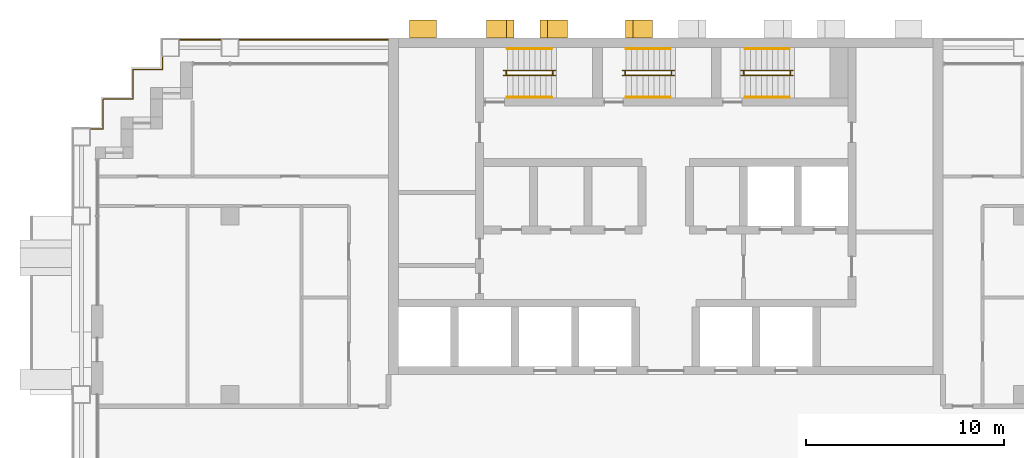
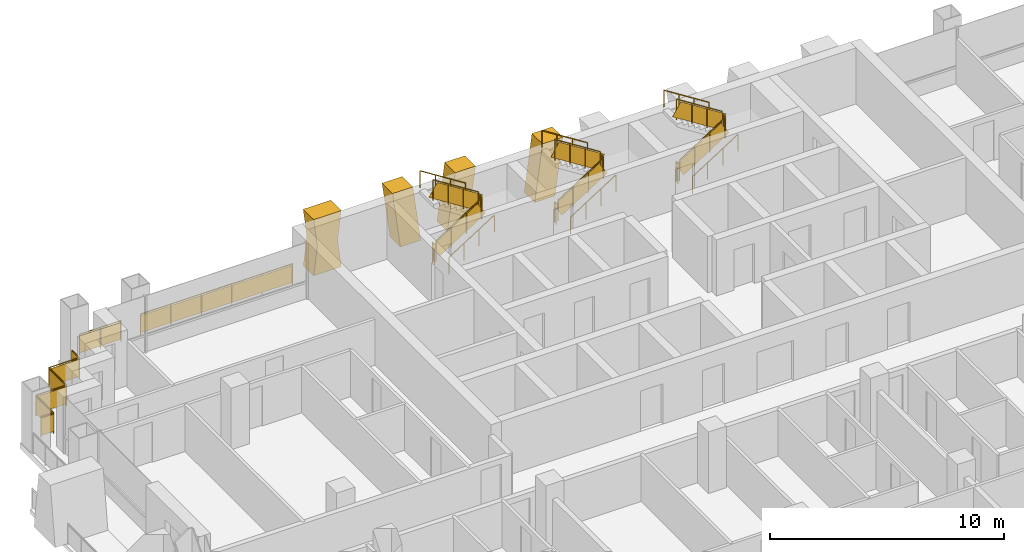
# One storey, part 16 of 17: 21 railings, 4 shading devices.
"""IFC4 building model written with IfcOpenShell, lengths in metres."""

from ifc_helpers import new_model, si_unit, direction, frame, origin, origin_2d, place, context, subcontext, project, spatial, polyline, rectangle, circle, outline, extrude, material, layer, layer_set, type_object, element, save


model = new_model("IFC4")

# Units and contexts
model_context = context("Model", 3, precision=1e-05, world=origin(), true_north=direction((0.0, 1.0)))
body_context = subcontext(model_context, "Body", "Model", "MODEL_VIEW")
ifc_project = project(units=[si_unit("LENGTHUNIT", "METRE"), si_unit("AREAUNIT", "SQUARE_METRE"), si_unit("VOLUMEUNIT", "CUBIC_METRE"), si_unit("PLANEANGLEUNIT", "RADIAN"), si_unit("MASSUNIT", "GRAM", prefix="KILO")], contexts=[model_context])

# Site, building, storey
site_placement = place(None, origin())
site = spatial("IfcSite", under=ifc_project, at=site_placement, CompositionType="ELEMENT")
building_placement = place(site_placement, origin())
building = spatial("IfcBuilding", under=site, at=building_placement, Name="Vidyagriha Tower", CompositionType="ELEMENT")
storey_placement = place(building_placement, frame((0.0, 0.0, 87.10009765625)))
storey = spatial("IfcBuildingStorey", under=building, at=storey_placement, Name="L22", CompositionType="ELEMENT", Elevation=87.10009765625)

# Shading devices
ifc_material_1 = material(Name="Precast concrete C40/50 with brick facing", Category="concrete")
ifc_layer_1 = layer(ifc_material_1, 1.0)
ifc_layer_set_1 = layer_set([ifc_layer_1], Name="Precast concrete C40/50 with brick facing")
shading_device_type_1 = type_object("IfcShadingDeviceType", Name="Brick-faced rear rib arm leaning 8 degrees", PredefinedType="USERDEFINED", material=ifc_layer_set_1)
shading_device_1_placement = place(storey_placement, frame((-0.656982421875, 20.449951171875, 0.0), z_axis=(0.0, 0.0, 1.0), x_axis=(-1.0, 0.0, 0.0)))
element("IfcShadingDevice", 1, at=shading_device_1_placement, inside=storey, type_object=shading_device_type_1, Name="Rear rib arm L22 R08.3b", ObjectType="BLADE FIN", PredefinedType="USERDEFINED", context=body_context, shape_type="SweptSolid", body=[
    extrude(outline(polyline([(0.3857421875, 0.0), (1.3857421875, 0.0), (1.0, 2.919921875), (0.0, 2.919921875), (0.3857421875, 0.0)])), frame((0.0, 0.449951171875, 0.0), z_axis=(0.0, -1.0, 0.0), x_axis=(1.0, 0.0, 0.0)), (0.0, 0.0, 1.0), 0.89990234375),
])
shading_device_2_placement = place(storey_placement, frame((-7.656982421875, 20.449951171875, 0.0), z_axis=(0.0, 0.0, 1.0), x_axis=(-1.0, 0.0, 0.0)))
element("IfcShadingDevice", 2, at=shading_device_2_placement, inside=storey, type_object=shading_device_type_1, Name="Rear rib arm L22 R08.4a", ObjectType="BLADE FIN", PredefinedType="USERDEFINED", context=body_context, shape_type="SweptSolid", body=[
    extrude(outline(polyline([(0.0, 0.0), (1.0, 0.0), (1.3857421875, 2.919921875), (0.3857421875, 2.919921875), (0.0, 0.0)])), frame((0.0, 0.449951171875, 0.0), z_axis=(0.0, -1.0, 0.0), x_axis=(1.0, 0.0, 0.0)), (0.0, 0.0, 1.0), 0.89990234375),
])
shading_device_3_placement = place(storey_placement, frame((-4.95703125, 20.449951171875, 0.0), z_axis=(0.0, 0.0, 1.0), x_axis=(-1.0, 0.0, 0.0)))
element("IfcShadingDevice", 3, at=shading_device_3_placement, inside=storey, type_object=shading_device_type_1, Name="Rear rib arm L22 R08.4b", ObjectType="BLADE FIN", PredefinedType="USERDEFINED", context=body_context, shape_type="SweptSolid", body=[
    extrude(outline(polyline([(0.3857421875, 0.0), (1.3857421875, 0.0), (1.0, 2.919921875), (0.0, 2.919921875), (0.3857421875, 0.0)])), frame((0.0, 0.449951171875, 0.0), z_axis=(0.0, -1.0, 0.0), x_axis=(1.0, 0.0, 0.0)), (0.0, 0.0, 1.0), 0.89990234375),
])
ifc_material_2 = material(Name="Precast concrete C40/50 with brick facing", Category="concrete")
ifc_layer_2 = layer(ifc_material_2, 1.0)
ifc_layer_set_2 = layer_set([ifc_layer_2], Name="Precast concrete C40/50 with brick facing")
shading_device_type_2 = type_object("IfcShadingDeviceType", Name="Brick-faced rear rib forking 8 degrees", PredefinedType="USERDEFINED", material=ifc_layer_set_2)
shading_device_4_placement = place(storey_placement, frame((-11.5712890625, 20.449951171875, 0.0), z_axis=(0.0, 0.0, 1.0), x_axis=(-1.0, 0.0, 0.0)))
element("IfcShadingDevice", 4, at=shading_device_4_placement, inside=storey, type_object=shading_device_type_2, Name="Rear rib fork L22 R08.5a", ObjectType="BLADE FIN", PredefinedType="USERDEFINED", context=body_context, shape_type="SweptSolid", body=[
    extrude(outline(polyline([(0.0, 0.0), (1.357177734375, 0.0), (1.1787109375, 1.4599609375), (1.357177734375, 2.919921875), (0.0, 2.919921875), (0.1787109375, 1.4599609375), (0.0, 0.0)])), frame((0.0, 0.449951171875, 0.0), z_axis=(0.0, -1.0, 0.0), x_axis=(1.0, 0.0, 0.0)), (0.0, 0.0, 1.0), 0.89990234375),
])

# Railings
ifc_material_3 = material(Name="Steel ASTM A500 Grade C black painted", Category="steel")
railing_type_1 = type_object("IfcRailingType", Name="Gallery guard 1100", PredefinedType="GUARDRAIL", material=ifc_material_3)
railing_1_placement = place(storey_placement, frame((-29.02001953125, 15.39990234375, 0.0)))
element("IfcRailing", 5, at=railing_1_placement, inside=storey, type_object=railing_type_1, Name="Gallery guard L22 5", PredefinedType="GUARDRAIL", context=body_context, shape_type="SweptSolid", body=[
    extrude(circle(Radius=0.02490234375, at=origin_2d()), frame((0.0, 0.0, 1.0751953125), z_axis=(1.0, 0.0, 0.0), x_axis=(0.0, 1.0, 0.0)), (0.0, 0.0, 1.0), 0.6201171875),
    extrude(circle(Radius=0.02490234375, at=origin_2d()), frame((0.6201171875, 0.0, 1.0751953125), z_axis=(0.0, 1.0, 0.0), x_axis=(-1.0, 0.0, 0.0)), (0.0, 0.0, 1.0), 1.5),
    extrude(circle(Radius=0.02490234375, at=origin_2d()), frame((0.6201171875, 1.5, 1.0751953125), z_axis=(1.0, 0.0, 0.0), x_axis=(0.0, 1.0, 0.0)), (0.0, 0.0, 1.0), 1.5),
    extrude(circle(Radius=0.02490234375, at=origin_2d()), frame((2.1201171875, 1.5, 1.0751953125), z_axis=(0.0, 1.0, 0.0), x_axis=(-1.0, 0.0, 0.0)), (0.0, 0.0, 1.0), 1.5),
    extrude(circle(Radius=0.02490234375, at=origin_2d()), frame((2.1201171875, 3.0, 1.0751953125), z_axis=(1.0, 0.0, 0.0), x_axis=(0.0, 1.0, 0.0)), (0.0, 0.0, 1.0), 1.5),
    extrude(circle(Radius=0.02490234375, at=origin_2d()), frame((3.6201171875, 3.0, 1.0751953125), z_axis=(0.0, 1.0, 0.0), x_axis=(-1.0, 0.0, 0.0)), (0.0, 0.0, 1.0), 0.6201171875),
    extrude(circle(Radius=0.02001953125, at=origin_2d()), origin(), (0.0, 0.0, 1.0), 1.050048828125),
    extrude(circle(Radius=0.02001953125, at=origin_2d()), frame((0.6201171875, 0.0, 0.0)), (0.0, 0.0, 1.0), 1.050048828125),
    extrude(circle(Radius=0.02001953125, at=origin_2d()), frame((0.6201171875, 1.5, 0.0)), (0.0, 0.0, 1.0), 1.050048828125),
    extrude(circle(Radius=0.02001953125, at=origin_2d()), frame((2.1201171875, 1.5, 0.0)), (0.0, 0.0, 1.0), 1.050048828125),
    extrude(circle(Radius=0.02001953125, at=origin_2d()), frame((2.1201171875, 3.0, 0.0)), (0.0, 0.0, 1.0), 1.050048828125),
    extrude(circle(Radius=0.02001953125, at=origin_2d()), frame((3.6201171875, 3.0, 0.0)), (0.0, 0.0, 1.0), 1.050048828125),
    extrude(circle(Radius=0.02001953125, at=origin_2d()), frame((3.6201171875, 3.6201171875, 0.0)), (0.0, 0.0, 1.0), 1.050048828125),
    extrude(rectangle(XDim=0.010009765625, YDim=0.900146484375, at=origin_2d()), frame((0.0, 0.0, 0.550048828125), z_axis=(1.0, 0.0, 0.0), x_axis=(0.0, 1.0, 0.0)), (0.0, 0.0, 1.0), 0.6201171875),
    extrude(rectangle(XDim=0.010009765625, YDim=0.900146484375, at=origin_2d()), frame((0.6201171875, 0.0, 0.550048828125), z_axis=(0.0, 1.0, 0.0), x_axis=(-1.0, 0.0, 0.0)), (0.0, 0.0, 1.0), 1.5),
    extrude(rectangle(XDim=0.010009765625, YDim=0.900146484375, at=origin_2d()), frame((0.6201171875, 1.5, 0.550048828125), z_axis=(1.0, 0.0, 0.0), x_axis=(0.0, 1.0, 0.0)), (0.0, 0.0, 1.0), 1.5),
    extrude(rectangle(XDim=0.010009765625, YDim=0.900146484375, at=origin_2d()), frame((2.1201171875, 1.5, 0.550048828125), z_axis=(0.0, 1.0, 0.0), x_axis=(-1.0, 0.0, 0.0)), (0.0, 0.0, 1.0), 1.5),
    extrude(rectangle(XDim=0.010009765625, YDim=0.900146484375, at=origin_2d()), frame((2.1201171875, 3.0, 0.550048828125), z_axis=(1.0, 0.0, 0.0), x_axis=(0.0, 1.0, 0.0)), (0.0, 0.0, 1.0), 1.5),
    extrude(rectangle(XDim=0.010009765625, YDim=0.900146484375, at=origin_2d()), frame((3.6201171875, 3.0, 0.550048828125), z_axis=(0.0, 1.0, 0.0), x_axis=(-1.0, 0.0, 0.0)), (0.0, 0.0, 1.0), 0.6201171875),
])
railing_2_placement = place(storey_placement, frame((-24.52001953125, 19.89990234375, 0.0)))
element("IfcRailing", 6, at=railing_2_placement, inside=storey, type_object=railing_type_1, Name="Gallery guard L22 7", PredefinedType="GUARDRAIL", context=body_context, shape_type="SweptSolid", body=[
    extrude(circle(Radius=0.02490234375, at=origin_2d()), frame((0.0, 0.0, 1.0751953125), z_axis=(1.0, 0.0, 0.0), x_axis=(0.0, 1.0, 0.0)), (0.0, 0.0, 1.0), 2.0400390625),
    extrude(circle(Radius=0.02001953125, at=origin_2d()), origin(), (0.0, 0.0, 1.0), 1.050048828125),
    extrude(circle(Radius=0.02001953125, at=origin_2d()), frame((1.02001953125, 0.0, 0.0)), (0.0, 0.0, 1.0), 1.050048828125),
    extrude(circle(Radius=0.02001953125, at=origin_2d()), frame((2.0400390625, 0.0, 0.0)), (0.0, 0.0, 1.0), 1.050048828125),
    extrude(rectangle(XDim=0.010009765625, YDim=0.900146484375, at=origin_2d()), frame((0.0, 0.0, 0.550048828125), z_axis=(1.0, 0.0, 0.0), x_axis=(0.0, 1.0, 0.0)), (0.0, 0.0, 1.0), 2.0400390625),
])
railing_3_placement = place(storey_placement, frame((-21.52001953125, 19.89990234375, 0.0)))
element("IfcRailing", 7, at=railing_3_placement, inside=storey, type_object=railing_type_1, Name="Gallery guard L22 8", PredefinedType="GUARDRAIL", context=body_context, shape_type="SweptSolid", body=[
    extrude(circle(Radius=0.02490234375, at=origin_2d()), frame((0.0, 0.0, 1.0751953125), z_axis=(1.0, 0.0, 0.0), x_axis=(0.0, 1.0, 0.0)), (0.0, 0.0, 1.0), 7.489990234375),
    extrude(circle(Radius=0.02001953125, at=origin_2d()), origin(), (0.0, 0.0, 1.0), 1.050048828125),
    extrude(circle(Radius=0.02001953125, at=origin_2d()), frame((1.498046875, 0.0, 0.0)), (0.0, 0.0, 1.0), 1.050048828125),
    extrude(circle(Radius=0.02001953125, at=origin_2d()), frame((2.99609375, 0.0, 0.0)), (0.0, 0.0, 1.0), 1.050048828125),
    extrude(circle(Radius=0.02001953125, at=origin_2d()), frame((4.493896484375, 0.0, 0.0)), (0.0, 0.0, 1.0), 1.050048828125),
    extrude(circle(Radius=0.02001953125, at=origin_2d()), frame((5.991943359375, 0.0, 0.0)), (0.0, 0.0, 1.0), 1.050048828125),
    extrude(circle(Radius=0.02001953125, at=origin_2d()), frame((7.489990234375, 0.0, 0.0)), (0.0, 0.0, 1.0), 1.050048828125),
    extrude(rectangle(XDim=0.010009765625, YDim=0.900146484375, at=origin_2d()), frame((0.0, 0.0, 0.550048828125), z_axis=(1.0, 0.0, 0.0), x_axis=(0.0, 1.0, 0.0)), (0.0, 0.0, 1.0), 7.489990234375),
])
ifc_material_4 = material(Name="Steel ASTM A500 Grade C", Category="steel")
railing_type_2 = type_object("IfcRailingType", Name="Stair guard 1100 mm, steel balustrade", PredefinedType="GUARDRAIL", material=ifc_material_4)
railing_4_placement = place(storey_placement, frame((-8.0, 18.10009765625, 0.177734375)))
element("IfcRailing", 8, at=railing_4_placement, inside=storey, type_object=railing_type_2, Name="L22 ST1 stair guard 1", PredefinedType="GUARDRAIL", context=body_context, shape_type="SweptSolid", body=[
    extrude(circle(Radius=0.02392578125, at=origin_2d()), frame((0.0, 0.0, 1.076171875), z_axis=(0.8442293374, 0.0, 0.53598211339), x_axis=(0.0, 1.0, 0.0)), (0.0, 0.0, 1.0), 2.6533203125),
    extrude(circle(Radius=0.02099609375, at=origin_2d()), origin(), (0.0, 0.0, 1.0), 1.052001953125),
    extrude(circle(Radius=0.02099609375, at=origin_2d()), frame((0.74658203125, 0.0, 0.47412109375)), (0.0, 0.0, 1.0), 1.052001953125),
    extrude(circle(Radius=0.02099609375, at=origin_2d()), frame((1.493408203125, 0.0, 0.947998046875)), (0.0, 0.0, 1.0), 1.052001953125),
    extrude(circle(Radius=0.02099609375, at=origin_2d()), frame((2.239990234375, 0.0, 1.422119140625)), (0.0, 0.0, 1.0), 1.052001953125),
    extrude(rectangle(XDim=0.010009765625, YDim=0.761474609375, at=origin_2d()), frame((0.0, 0.0, 0.551025390625), z_axis=(0.8442293374, 0.0, 0.53598211339), x_axis=(0.0, 1.0, 0.0)), (0.0, 0.0, 1.0), 2.6533203125),
])
railing_5_placement = place(storey_placement, frame((-5.7099609375, 18.14990234375, 1.599853515625)))
element("IfcRailing", 9, at=railing_5_placement, inside=storey, type_object=railing_type_2, Name="L22 ST1 stair guard 2", PredefinedType="GUARDRAIL", context=body_context, shape_type="SweptSolid", body=[
    extrude(circle(Radius=0.02392578125, at=origin_2d()), frame((0.0, 0.0, 1.076171875), z_axis=(0.0, 1.0, 0.0), x_axis=(-1.0, 0.0, 0.0)), (0.0, 0.0, 1.0), 0.150146484375),
    extrude(circle(Radius=0.02099609375, at=origin_2d()), origin(), (0.0, 0.0, 1.0), 1.052001953125),
    extrude(circle(Radius=0.02099609375, at=origin_2d()), frame((0.0, 0.150146484375, 0.0)), (0.0, 0.0, 1.0), 1.052001953125),
    extrude(rectangle(XDim=0.010009765625, YDim=0.902099609375, at=origin_2d()), frame((0.0, 0.0, 0.551025390625), z_axis=(0.0, 1.0, 0.0), x_axis=(-1.0, 0.0, 0.0)), (0.0, 0.0, 1.0), 0.150146484375),
])
railing_6_placement = place(storey_placement, frame((-5.760009765625, 18.35009765625, 1.777587890625)))
element("IfcRailing", 10, at=railing_6_placement, inside=storey, type_object=railing_type_2, Name="L22 ST1 stair guard 3", PredefinedType="GUARDRAIL", context=body_context, shape_type="SweptSolid", body=[
    extrude(circle(Radius=0.02392578125, at=origin_2d()), frame((0.0, 0.0, 1.076171875), z_axis=(-0.84418770128, 0.0, 0.536047689118), x_axis=(0.0, -1.0, 0.0)), (0.0, 0.0, 1.0), 2.6533203125),
    extrude(circle(Radius=0.02099609375, at=origin_2d()), origin(), (0.0, 0.0, 1.0), 1.052001953125),
    extrude(circle(Radius=0.02099609375, at=origin_2d()), frame((-0.74658203125, 0.0, 0.47412109375)), (0.0, 0.0, 1.0), 1.052001953125),
    extrude(circle(Radius=0.02099609375, at=origin_2d()), frame((-1.493408203125, 0.0, 0.9482421875)), (0.0, 0.0, 1.0), 1.052001953125),
    extrude(circle(Radius=0.02099609375, at=origin_2d()), frame((-2.239990234375, 0.0, 1.42236328125)), (0.0, 0.0, 1.0), 1.052001953125),
    extrude(rectangle(XDim=0.010009765625, YDim=0.761474609375, at=origin_2d()), frame((0.0, 0.0, 0.551025390625), z_axis=(-0.84418770128, 0.0, 0.536047689118), x_axis=(0.0, -1.0, 0.0)), (0.0, 0.0, 1.0), 2.6533203125),
])
railing_7_placement = place(storey_placement, frame((-8.050048828125, 18.14990234375, 0.0)))
element("IfcRailing", 11, at=railing_7_placement, inside=storey, type_object=railing_type_2, Name="L22 ST1 stair guard 4", PredefinedType="GUARDRAIL", context=body_context, shape_type="SweptSolid", body=[
    extrude(circle(Radius=0.02392578125, at=origin_2d()), frame((0.0, 0.0, 1.076171875), z_axis=(0.0, 1.0, 0.0), x_axis=(-1.0, 0.0, 0.0)), (0.0, 0.0, 1.0), 0.150146484375),
    extrude(circle(Radius=0.02099609375, at=origin_2d()), origin(), (0.0, 0.0, 1.0), 1.052001953125),
    extrude(circle(Radius=0.02099609375, at=origin_2d()), frame((0.0, 0.150146484375, 0.0)), (0.0, 0.0, 1.0), 1.052001953125),
    extrude(rectangle(XDim=0.010009765625, YDim=0.902099609375, at=origin_2d()), frame((0.0, 0.0, 0.551025390625), z_axis=(0.0, 1.0, 0.0), x_axis=(-1.0, 0.0, 0.0)), (0.0, 0.0, 1.0), 0.150146484375),
])
railing_8_placement = place(storey_placement, frame((-2.0, 18.10009765625, 0.177734375)))
element("IfcRailing", 12, at=railing_8_placement, inside=storey, type_object=railing_type_2, Name="L22 ST2 stair guard 1", PredefinedType="GUARDRAIL", context=body_context, shape_type="SweptSolid", body=[
    extrude(circle(Radius=0.02392578125, at=origin_2d()), frame((0.0, 0.0, 1.076171875), z_axis=(0.8442293374, 0.0, 0.53598211339), x_axis=(0.0, 1.0, 0.0)), (0.0, 0.0, 1.0), 2.6533203125),
    extrude(circle(Radius=0.02099609375, at=origin_2d()), origin(), (0.0, 0.0, 1.0), 1.052001953125),
    extrude(circle(Radius=0.02099609375, at=origin_2d()), frame((0.74658203125, 0.0, 0.47412109375)), (0.0, 0.0, 1.0), 1.052001953125),
    extrude(circle(Radius=0.02099609375, at=origin_2d()), frame((1.493408203125, 0.0, 0.947998046875)), (0.0, 0.0, 1.0), 1.052001953125),
    extrude(circle(Radius=0.02099609375, at=origin_2d()), frame((2.239990234375, 0.0, 1.422119140625)), (0.0, 0.0, 1.0), 1.052001953125),
    extrude(rectangle(XDim=0.010009765625, YDim=0.761474609375, at=origin_2d()), frame((0.0, 0.0, 0.551025390625), z_axis=(0.8442293374, 0.0, 0.53598211339), x_axis=(0.0, 1.0, 0.0)), (0.0, 0.0, 1.0), 2.6533203125),
])
railing_9_placement = place(storey_placement, frame((0.2900390625, 18.14990234375, 1.599853515625)))
element("IfcRailing", 13, at=railing_9_placement, inside=storey, type_object=railing_type_2, Name="L22 ST2 stair guard 2", PredefinedType="GUARDRAIL", context=body_context, shape_type="SweptSolid", body=[
    extrude(circle(Radius=0.02392578125, at=origin_2d()), frame((0.0, 0.0, 1.076171875), z_axis=(0.0, 1.0, 0.0), x_axis=(-1.0, 0.0, 0.0)), (0.0, 0.0, 1.0), 0.150146484375),
    extrude(circle(Radius=0.02099609375, at=origin_2d()), origin(), (0.0, 0.0, 1.0), 1.052001953125),
    extrude(circle(Radius=0.02099609375, at=origin_2d()), frame((0.0, 0.150146484375, 0.0)), (0.0, 0.0, 1.0), 1.052001953125),
    extrude(rectangle(XDim=0.010009765625, YDim=0.902099609375, at=origin_2d()), frame((0.0, 0.0, 0.551025390625), z_axis=(0.0, 1.0, 0.0), x_axis=(-1.0, 0.0, 0.0)), (0.0, 0.0, 1.0), 0.150146484375),
])
railing_10_placement = place(storey_placement, frame((0.239990234375, 18.35009765625, 1.777587890625)))
element("IfcRailing", 14, at=railing_10_placement, inside=storey, type_object=railing_type_2, Name="L22 ST2 stair guard 3", PredefinedType="GUARDRAIL", context=body_context, shape_type="SweptSolid", body=[
    extrude(circle(Radius=0.02392578125, at=origin_2d()), frame((0.0, 0.0, 1.076171875), z_axis=(-0.84418770128, 0.0, 0.536047689118), x_axis=(0.0, -1.0, 0.0)), (0.0, 0.0, 1.0), 2.6533203125),
    extrude(circle(Radius=0.02099609375, at=origin_2d()), origin(), (0.0, 0.0, 1.0), 1.052001953125),
    extrude(circle(Radius=0.02099609375, at=origin_2d()), frame((-0.74658203125, 0.0, 0.47412109375)), (0.0, 0.0, 1.0), 1.052001953125),
    extrude(circle(Radius=0.02099609375, at=origin_2d()), frame((-1.493408203125, 0.0, 0.9482421875)), (0.0, 0.0, 1.0), 1.052001953125),
    extrude(circle(Radius=0.02099609375, at=origin_2d()), frame((-2.239990234375, 0.0, 1.42236328125)), (0.0, 0.0, 1.0), 1.052001953125),
    extrude(rectangle(XDim=0.010009765625, YDim=0.761474609375, at=origin_2d()), frame((0.0, 0.0, 0.551025390625), z_axis=(-0.84418770128, 0.0, 0.536047689118), x_axis=(0.0, -1.0, 0.0)), (0.0, 0.0, 1.0), 2.6533203125),
])
railing_11_placement = place(storey_placement, frame((-2.050048828125, 18.14990234375, 0.0)))
element("IfcRailing", 15, at=railing_11_placement, inside=storey, type_object=railing_type_2, Name="L22 ST2 stair guard 4", PredefinedType="GUARDRAIL", context=body_context, shape_type="SweptSolid", body=[
    extrude(circle(Radius=0.02392578125, at=origin_2d()), frame((0.0, 0.0, 1.076171875), z_axis=(0.0, 1.0, 0.0), x_axis=(-1.0, 0.0, 0.0)), (0.0, 0.0, 1.0), 0.150146484375),
    extrude(circle(Radius=0.02099609375, at=origin_2d()), origin(), (0.0, 0.0, 1.0), 1.052001953125),
    extrude(circle(Radius=0.02099609375, at=origin_2d()), frame((0.0, 0.150146484375, 0.0)), (0.0, 0.0, 1.0), 1.052001953125),
    extrude(rectangle(XDim=0.010009765625, YDim=0.902099609375, at=origin_2d()), frame((0.0, 0.0, 0.551025390625), z_axis=(0.0, 1.0, 0.0), x_axis=(-1.0, 0.0, 0.0)), (0.0, 0.0, 1.0), 0.150146484375),
])
railing_12_placement = place(storey_placement, frame((4.0, 18.10009765625, 0.177734375)))
element("IfcRailing", 16, at=railing_12_placement, inside=storey, type_object=railing_type_2, Name="L22 ST3 stair guard 1", PredefinedType="GUARDRAIL", context=body_context, shape_type="SweptSolid", body=[
    extrude(circle(Radius=0.02392578125, at=origin_2d()), frame((0.0, 0.0, 1.076171875), z_axis=(0.8442293374, 0.0, 0.53598211339), x_axis=(0.0, 1.0, 0.0)), (0.0, 0.0, 1.0), 2.6533203125),
    extrude(circle(Radius=0.02099609375, at=origin_2d()), origin(), (0.0, 0.0, 1.0), 1.052001953125),
    extrude(circle(Radius=0.02099609375, at=origin_2d()), frame((0.74658203125, 0.0, 0.47412109375)), (0.0, 0.0, 1.0), 1.052001953125),
    extrude(circle(Radius=0.02099609375, at=origin_2d()), frame((1.493408203125, 0.0, 0.947998046875)), (0.0, 0.0, 1.0), 1.052001953125),
    extrude(circle(Radius=0.02099609375, at=origin_2d()), frame((2.239990234375, 0.0, 1.422119140625)), (0.0, 0.0, 1.0), 1.052001953125),
    extrude(rectangle(XDim=0.010009765625, YDim=0.761474609375, at=origin_2d()), frame((0.0, 0.0, 0.551025390625), z_axis=(0.8442293374, 0.0, 0.53598211339), x_axis=(0.0, 1.0, 0.0)), (0.0, 0.0, 1.0), 2.6533203125),
])
railing_13_placement = place(storey_placement, frame((6.2900390625, 18.14990234375, 1.599853515625)))
element("IfcRailing", 17, at=railing_13_placement, inside=storey, type_object=railing_type_2, Name="L22 ST3 stair guard 2", PredefinedType="GUARDRAIL", context=body_context, shape_type="SweptSolid", body=[
    extrude(circle(Radius=0.02392578125, at=origin_2d()), frame((0.0, 0.0, 1.076171875), z_axis=(0.0, 1.0, 0.0), x_axis=(-1.0, 0.0, 0.0)), (0.0, 0.0, 1.0), 0.150146484375),
    extrude(circle(Radius=0.02099609375, at=origin_2d()), origin(), (0.0, 0.0, 1.0), 1.052001953125),
    extrude(circle(Radius=0.02099609375, at=origin_2d()), frame((0.0, 0.150146484375, 0.0)), (0.0, 0.0, 1.0), 1.052001953125),
    extrude(rectangle(XDim=0.010009765625, YDim=0.902099609375, at=origin_2d()), frame((0.0, 0.0, 0.551025390625), z_axis=(0.0, 1.0, 0.0), x_axis=(-1.0, 0.0, 0.0)), (0.0, 0.0, 1.0), 0.150146484375),
])
railing_14_placement = place(storey_placement, frame((6.239990234375, 18.35009765625, 1.777587890625)))
element("IfcRailing", 18, at=railing_14_placement, inside=storey, type_object=railing_type_2, Name="L22 ST3 stair guard 3", PredefinedType="GUARDRAIL", context=body_context, shape_type="SweptSolid", body=[
    extrude(circle(Radius=0.02392578125, at=origin_2d()), frame((0.0, 0.0, 1.076171875), z_axis=(-0.84418770128, 0.0, 0.536047689118), x_axis=(0.0, -1.0, 0.0)), (0.0, 0.0, 1.0), 2.6533203125),
    extrude(circle(Radius=0.02099609375, at=origin_2d()), origin(), (0.0, 0.0, 1.0), 1.052001953125),
    extrude(circle(Radius=0.02099609375, at=origin_2d()), frame((-0.74658203125, 0.0, 0.47412109375)), (0.0, 0.0, 1.0), 1.052001953125),
    extrude(circle(Radius=0.02099609375, at=origin_2d()), frame((-1.493408203125, 0.0, 0.9482421875)), (0.0, 0.0, 1.0), 1.052001953125),
    extrude(circle(Radius=0.02099609375, at=origin_2d()), frame((-2.239990234375, 0.0, 1.42236328125)), (0.0, 0.0, 1.0), 1.052001953125),
    extrude(rectangle(XDim=0.010009765625, YDim=0.761474609375, at=origin_2d()), frame((0.0, 0.0, 0.551025390625), z_axis=(-0.84418770128, 0.0, 0.536047689118), x_axis=(0.0, -1.0, 0.0)), (0.0, 0.0, 1.0), 2.6533203125),
])
railing_15_placement = place(storey_placement, frame((3.949951171875, 18.14990234375, 0.0)))
element("IfcRailing", 19, at=railing_15_placement, inside=storey, type_object=railing_type_2, Name="L22 ST3 stair guard 4", PredefinedType="GUARDRAIL", context=body_context, shape_type="SweptSolid", body=[
    extrude(circle(Radius=0.02392578125, at=origin_2d()), frame((0.0, 0.0, 1.076171875), z_axis=(0.0, 1.0, 0.0), x_axis=(-1.0, 0.0, 0.0)), (0.0, 0.0, 1.0), 0.150146484375),
    extrude(circle(Radius=0.02099609375, at=origin_2d()), origin(), (0.0, 0.0, 1.0), 1.052001953125),
    extrude(circle(Radius=0.02099609375, at=origin_2d()), frame((0.0, 0.150146484375, 0.0)), (0.0, 0.0, 1.0), 1.052001953125),
    extrude(rectangle(XDim=0.010009765625, YDim=0.902099609375, at=origin_2d()), frame((0.0, 0.0, 0.551025390625), z_axis=(0.0, 1.0, 0.0), x_axis=(-1.0, 0.0, 0.0)), (0.0, 0.0, 1.0), 0.150146484375),
])
ifc_material_5 = material(Name="Steel ASTM A500 Grade C", Category="steel")
railing_type_3 = type_object("IfcRailingType", Name="Stair handrail 900 mm, steel", PredefinedType="HANDRAIL", material=ifc_material_5)
railing_16_placement = place(storey_placement, frame((-8.0, 17.0, 0.177734375)))
element("IfcRailing", 20, at=railing_16_placement, inside=storey, type_object=railing_type_3, Name="L22 ST1 stair handrail 1", PredefinedType="HANDRAIL", context=body_context, shape_type="SweptSolid", body=[
    extrude(circle(Radius=0.02392578125, at=origin_2d()), frame((0.0, 0.0, 0.8759765625), z_axis=(0.8442293374, 0.0, 0.53598211339), x_axis=(0.0, 1.0, 0.0)), (0.0, 0.0, 1.0), 2.6533203125),
    extrude(circle(Radius=0.02099609375, at=origin_2d()), origin(), (0.0, 0.0, 1.0), 0.851806640625),
    extrude(circle(Radius=0.02099609375, at=origin_2d()), frame((0.74658203125, 0.0, 0.47412109375)), (0.0, 0.0, 1.0), 0.851806640625),
    extrude(circle(Radius=0.02099609375, at=origin_2d()), frame((1.493408203125, 0.0, 0.947998046875)), (0.0, 0.0, 1.0), 0.851806640625),
    extrude(circle(Radius=0.02099609375, at=origin_2d()), frame((2.239990234375, 0.0, 1.422119140625)), (0.0, 0.0, 1.0), 0.851806640625),
])
railing_17_placement = place(storey_placement, frame((-5.760009765625, 19.449951171875, 1.777587890625)))
element("IfcRailing", 21, at=railing_17_placement, inside=storey, type_object=railing_type_3, Name="L22 ST1 stair handrail 2", PredefinedType="HANDRAIL", context=body_context, shape_type="SweptSolid", body=[
    extrude(circle(Radius=0.02392578125, at=origin_2d()), frame((0.0, 0.0, 0.8759765625), z_axis=(-0.84418770128, 0.0, 0.536047689118), x_axis=(0.0, -1.0, 0.0)), (0.0, 0.0, 1.0), 2.6533203125),
    extrude(circle(Radius=0.02099609375, at=origin_2d()), origin(), (0.0, 0.0, 1.0), 0.851806640625),
    extrude(circle(Radius=0.02099609375, at=origin_2d()), frame((-0.74658203125, 0.0, 0.47412109375)), (0.0, 0.0, 1.0), 0.851806640625),
    extrude(circle(Radius=0.02099609375, at=origin_2d()), frame((-1.493408203125, 0.0, 0.9482421875)), (0.0, 0.0, 1.0), 0.851806640625),
    extrude(circle(Radius=0.02099609375, at=origin_2d()), frame((-2.239990234375, 0.0, 1.42236328125)), (0.0, 0.0, 1.0), 0.851806640625),
])
railing_18_placement = place(storey_placement, frame((-2.0, 17.0, 0.177734375)))
element("IfcRailing", 22, at=railing_18_placement, inside=storey, type_object=railing_type_3, Name="L22 ST2 stair handrail 1", PredefinedType="HANDRAIL", context=body_context, shape_type="SweptSolid", body=[
    extrude(circle(Radius=0.02392578125, at=origin_2d()), frame((0.0, 0.0, 0.8759765625), z_axis=(0.8442293374, 0.0, 0.53598211339), x_axis=(0.0, 1.0, 0.0)), (0.0, 0.0, 1.0), 2.6533203125),
    extrude(circle(Radius=0.02099609375, at=origin_2d()), origin(), (0.0, 0.0, 1.0), 0.851806640625),
    extrude(circle(Radius=0.02099609375, at=origin_2d()), frame((0.74658203125, 0.0, 0.47412109375)), (0.0, 0.0, 1.0), 0.851806640625),
    extrude(circle(Radius=0.02099609375, at=origin_2d()), frame((1.493408203125, 0.0, 0.947998046875)), (0.0, 0.0, 1.0), 0.851806640625),
    extrude(circle(Radius=0.02099609375, at=origin_2d()), frame((2.239990234375, 0.0, 1.422119140625)), (0.0, 0.0, 1.0), 0.851806640625),
])
railing_19_placement = place(storey_placement, frame((0.239990234375, 19.449951171875, 1.777587890625)))
element("IfcRailing", 23, at=railing_19_placement, inside=storey, type_object=railing_type_3, Name="L22 ST2 stair handrail 2", PredefinedType="HANDRAIL", context=body_context, shape_type="SweptSolid", body=[
    extrude(circle(Radius=0.02392578125, at=origin_2d()), frame((0.0, 0.0, 0.8759765625), z_axis=(-0.84418770128, 0.0, 0.536047689118), x_axis=(0.0, -1.0, 0.0)), (0.0, 0.0, 1.0), 2.6533203125),
    extrude(circle(Radius=0.02099609375, at=origin_2d()), origin(), (0.0, 0.0, 1.0), 0.851806640625),
    extrude(circle(Radius=0.02099609375, at=origin_2d()), frame((-0.74658203125, 0.0, 0.47412109375)), (0.0, 0.0, 1.0), 0.851806640625),
    extrude(circle(Radius=0.02099609375, at=origin_2d()), frame((-1.493408203125, 0.0, 0.9482421875)), (0.0, 0.0, 1.0), 0.851806640625),
    extrude(circle(Radius=0.02099609375, at=origin_2d()), frame((-2.239990234375, 0.0, 1.42236328125)), (0.0, 0.0, 1.0), 0.851806640625),
])
railing_20_placement = place(storey_placement, frame((4.0, 17.0, 0.177734375)))
element("IfcRailing", 24, at=railing_20_placement, inside=storey, type_object=railing_type_3, Name="L22 ST3 stair handrail 1", PredefinedType="HANDRAIL", context=body_context, shape_type="SweptSolid", body=[
    extrude(circle(Radius=0.02392578125, at=origin_2d()), frame((0.0, 0.0, 0.8759765625), z_axis=(0.8442293374, 0.0, 0.53598211339), x_axis=(0.0, 1.0, 0.0)), (0.0, 0.0, 1.0), 2.6533203125),
    extrude(circle(Radius=0.02099609375, at=origin_2d()), origin(), (0.0, 0.0, 1.0), 0.851806640625),
    extrude(circle(Radius=0.02099609375, at=origin_2d()), frame((0.74658203125, 0.0, 0.47412109375)), (0.0, 0.0, 1.0), 0.851806640625),
    extrude(circle(Radius=0.02099609375, at=origin_2d()), frame((1.493408203125, 0.0, 0.947998046875)), (0.0, 0.0, 1.0), 0.851806640625),
    extrude(circle(Radius=0.02099609375, at=origin_2d()), frame((2.239990234375, 0.0, 1.422119140625)), (0.0, 0.0, 1.0), 0.851806640625),
])
railing_21_placement = place(storey_placement, frame((6.239990234375, 19.449951171875, 1.777587890625)))
element("IfcRailing", 25, at=railing_21_placement, inside=storey, type_object=railing_type_3, Name="L22 ST3 stair handrail 2", PredefinedType="HANDRAIL", context=body_context, shape_type="SweptSolid", body=[
    extrude(circle(Radius=0.02392578125, at=origin_2d()), frame((0.0, 0.0, 0.8759765625), z_axis=(-0.84418770128, 0.0, 0.536047689118), x_axis=(0.0, -1.0, 0.0)), (0.0, 0.0, 1.0), 2.6533203125),
    extrude(circle(Radius=0.02099609375, at=origin_2d()), origin(), (0.0, 0.0, 1.0), 0.851806640625),
    extrude(circle(Radius=0.02099609375, at=origin_2d()), frame((-0.74658203125, 0.0, 0.47412109375)), (0.0, 0.0, 1.0), 0.851806640625),
    extrude(circle(Radius=0.02099609375, at=origin_2d()), frame((-1.493408203125, 0.0, 0.9482421875)), (0.0, 0.0, 1.0), 0.851806640625),
    extrude(circle(Radius=0.02099609375, at=origin_2d()), frame((-2.239990234375, 0.0, 1.42236328125)), (0.0, 0.0, 1.0), 0.851806640625),
])

save(model, "model.ifc")
